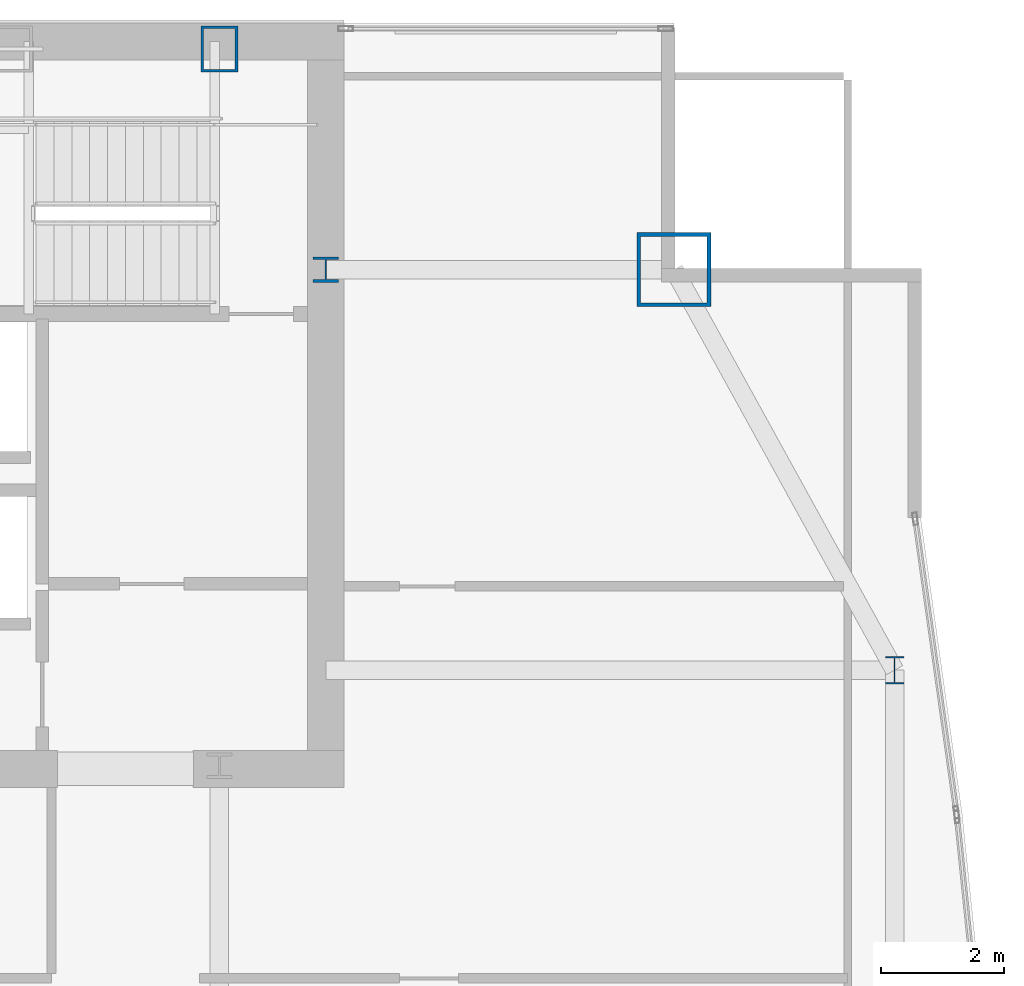
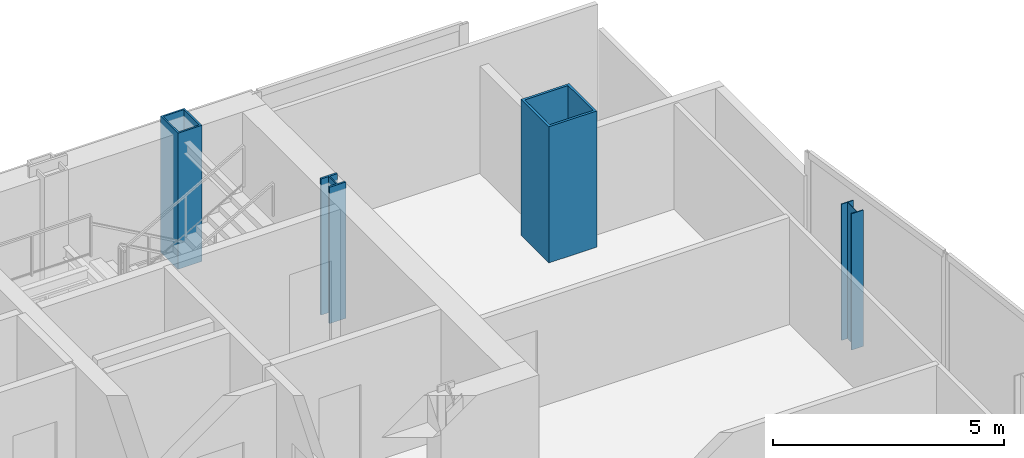
# One storey, part 4 of 32: 4 columns.
"""IFC4 building model written with IfcOpenShell, lengths in metres."""

from ifc_helpers import new_model, si_unit, direction, frame, origin, origin_2d, place, context, subcontext, project, spatial, hollow_rectangle, i_section, extrude, material, material_profile, profile_set, type_object, element, save


model = new_model("IFC4")

# Units and contexts
model_context = context("Model", 3, precision=1e-05, world=origin(), true_north=direction((0.0, 1.0)))
body_context = subcontext(model_context, "Body", "Model", "MODEL_VIEW")
ifc_project = project(units=[si_unit("LENGTHUNIT", "METRE"), si_unit("AREAUNIT", "SQUARE_METRE"), si_unit("VOLUMEUNIT", "CUBIC_METRE"), si_unit("PLANEANGLEUNIT", "RADIAN"), si_unit("MASSUNIT", "GRAM", prefix="KILO")], contexts=[model_context])

# Site, building, storey
site_placement = place(None, origin())
site = spatial("IfcSite", under=ifc_project, at=site_placement, CompositionType="ELEMENT")
building_placement = place(site_placement, origin())
building = spatial("IfcBuilding", under=site, at=building_placement, Name="Khoronbel Lancet Exchange", CompositionType="ELEMENT")
storey_placement = place(building_placement, frame((0.0, 0.0, 228.199951171875)))
storey = spatial("IfcBuildingStorey", under=building, at=storey_placement, Name="L58", CompositionType="ELEMENT", Elevation=228.199951171875)

# Columns
ifc_material_1 = material(Name="Steel S460", Category="steel")
ifc_material_profile_1 = material_profile(ifc_material_1, hollow_rectangle(XDim=0.60009765625, YDim=0.75, WallThickness=0.044921875, at=origin_2d()), Name="BOX 750x600x45")
ifc_profile_set_1 = profile_set([ifc_material_profile_1], Name="Steel S460")
column_type_1 = type_object("IfcColumnType", Name="COL-EC3", PredefinedType="COLUMN", material=ifc_profile_set_1)
column_1_placement = place(storey_placement, frame((54.675048828125, 53.280029296875, 0.0), z_axis=(0.0, 0.0, 1.0), x_axis=(1.0, 0.0, 0.0)))
element("IfcColumn", 1, at=column_1_placement, inside=storey, type_object=column_type_1, Name="Structural column NC-E2 L58", PredefinedType="COLUMN", context=body_context, shape_type="SweptSolid", body=[
    extrude(hollow_rectangle(XDim=0.60009765625, YDim=0.75, WallThickness=0.044921875, at=origin_2d()), origin(), (0.0, 0.0, 1.0), 3.60009765625),
])
ifc_material_2 = material(Name="Steel S355", Category="steel")
ifc_material_profile_2 = material_profile(ifc_material_2, i_section(OverallWidth=0.406005859375, OverallDepth=0.416015625, WebThickness=0.02978515625, FlangeThickness=0.048095703125, at=origin_2d()), Name="HD 400x382")
ifc_profile_set_2 = profile_set([ifc_material_profile_2], Name="Steel S355")
column_type_2 = type_object("IfcColumnType", Name="COL-IC3", PredefinedType="COLUMN", material=ifc_profile_set_2)
column_2_placement = place(storey_placement, frame((56.39990234375, 49.699951171875, 0.0), z_axis=(0.0, 0.0, 1.0), x_axis=(1.0, 0.0, 0.0)))
element("IfcColumn", 2, at=column_2_placement, inside=storey, type_object=column_type_2, Name="Core-flank plumb transfer column CFE L58", PredefinedType="COLUMN", context=body_context, shape_type="SweptSolid", body=[
    extrude(i_section(OverallWidth=0.406005859375, OverallDepth=0.416015625, WebThickness=0.02978515625, FlangeThickness=0.048095703125, at=origin_2d()), origin(), (0.0, 0.0, 1.0), 3.60009765625),
])
ifc_material_profile_3 = material_profile(ifc_material_2, i_section(OverallWidth=0.300048828125, OverallDepth=0.449951171875, WebThickness=0.013916015625, FlangeThickness=0.02587890625, at=origin_2d()), Name="HEB 450")
ifc_profile_set_3 = profile_set([ifc_material_profile_3], Name="Steel S355")
column_type_3 = type_object("IfcColumnType", Name="COL-LC2", PredefinedType="COLUMN", material=ifc_profile_set_3)
column_3_placement = place(storey_placement, frame((65.6298828125, 43.199951171875, 0.0), z_axis=(0.0, 0.0, 1.0), x_axis=(1.0, 0.0, 0.0)))
element("IfcColumn", 3, at=column_3_placement, inside=storey, type_object=column_type_3, Name="Structural column EC-4 L58", PredefinedType="COLUMN", context=body_context, shape_type="SweptSolid", body=[
    extrude(i_section(OverallWidth=0.300048828125, OverallDepth=0.449951171875, WebThickness=0.013916015625, FlangeThickness=0.02587890625, at=origin_2d()), origin(), (0.0, 0.0, 1.0), 3.60009765625),
])
ifc_material_profile_4 = material_profile(ifc_material_1, hollow_rectangle(XDim=1.199951171875, YDim=1.199951171875, WallThickness=0.06005859375, at=origin_2d()), Name="BOX 1200x1200x60")
ifc_profile_set_4 = profile_set([ifc_material_profile_4], Name="Steel S460")
column_type_4 = type_object("IfcColumnType", Name="COL-MC5", PredefinedType="COLUMN", material=ifc_profile_set_4)
column_4_placement = place(storey_placement, frame((62.050048828125, 49.699951171875, 0.0), z_axis=(0.0, 0.0, 1.0), x_axis=(1.0, 0.0, 0.0)))
element("IfcColumn", 4, at=column_4_placement, inside=storey, type_object=column_type_4, Name="Structural column MC-NE L58", PredefinedType="COLUMN", context=body_context, shape_type="SweptSolid", body=[
    extrude(hollow_rectangle(XDim=1.199951171875, YDim=1.199951171875, WallThickness=0.06005859375, at=origin_2d()), origin(), (0.0, 0.0, 1.0), 3.60009765625),
])

save(model, "model.ifc")
